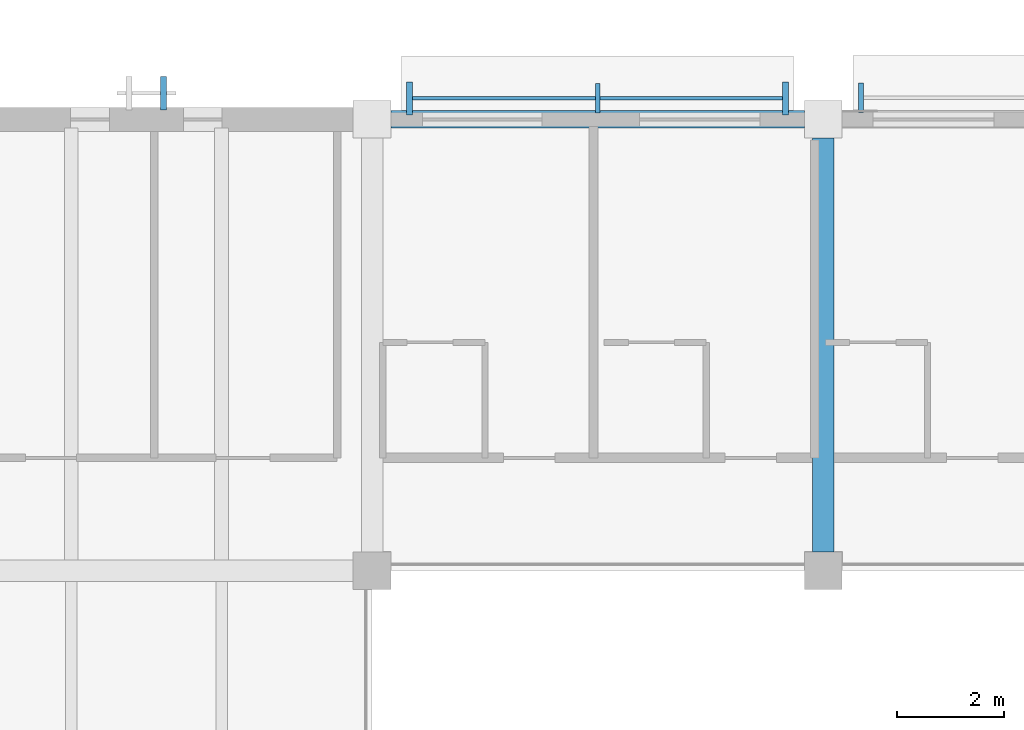
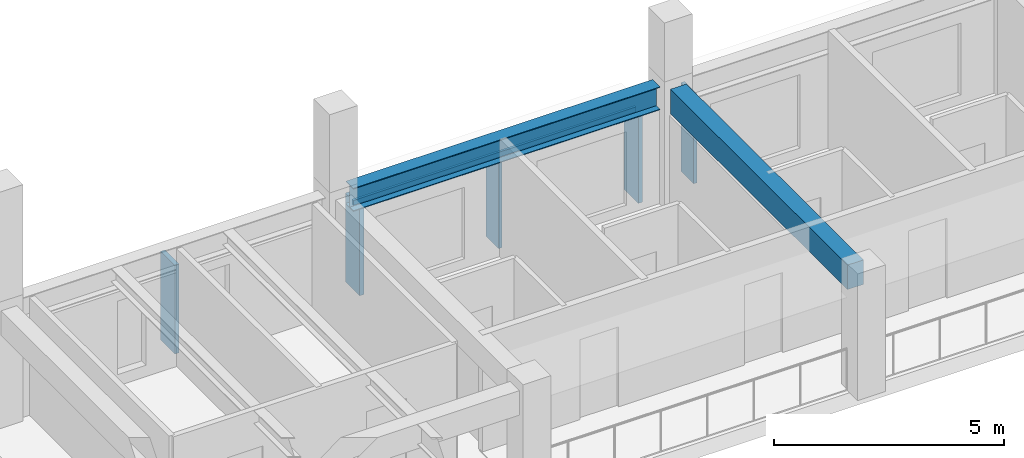
# One storey, part 25 of 123: 6 members, 2 beams, 3 elements without a shape of their own.
"""IFC4 building model written with IfcOpenShell, lengths in metres."""

from ifc_helpers import new_model, si_unit, direction, frame, origin, origin_2d, place, context, subcontext, project, spatial, rectangle, i_section, extrude, material, material_profile, profile_set, type_object, element, aggregate, save


model = new_model("IFC4")

# Units and contexts
model_context = context("Model", 3, precision=1e-05, world=origin(), true_north=direction((0.0, 1.0)))
body_context = subcontext(model_context, "Body", "Model", "MODEL_VIEW")
ifc_project = project(units=[si_unit("LENGTHUNIT", "METRE"), si_unit("AREAUNIT", "SQUARE_METRE"), si_unit("VOLUMEUNIT", "CUBIC_METRE"), si_unit("PLANEANGLEUNIT", "RADIAN"), si_unit("MASSUNIT", "GRAM", prefix="KILO")], contexts=[model_context])

# Site, building, storey
site_placement = place(None, origin())
site = spatial("IfcSite", under=ifc_project, at=site_placement, CompositionType="ELEMENT")
building_placement = place(site_placement, origin())
building = spatial("IfcBuilding", under=site, at=building_placement, Name="Cumbredor Promenade Congress Hotel", CompositionType="ELEMENT")
storey_placement = place(building_placement, frame((0.0, 0.0, 11.760009765625)))
storey = spatial("IfcBuildingStorey", under=building, at=storey_placement, Name="L03", CompositionType="ELEMENT", Elevation=11.760009765625)

# Beams
ifc_material_1 = material(Name="Concrete C40/50", Category="concrete")
ifc_material_profile_1 = material_profile(ifc_material_1, rectangle(XDim=0.39990234375, YDim=0.64990234375, at=origin_2d()), Name="RC BEAM 400x650")
ifc_profile_set_1 = profile_set([ifc_material_profile_1], Name="Concrete C40/50")
beam_type_1 = type_object("IfcBeamType", Name="BM-RC-400x650", PredefinedType="BEAM", material=ifc_profile_set_1)
beam_1_placement = place(storey_placement, frame((126.0, 109.550048828125, 2.794921875), z_axis=(0.0, 1.0, 0.0), x_axis=(-1.0, 0.0, 0.0)))
element("IfcBeam", 1, at=beam_1_placement, inside=storey, type_object=beam_type_1, Name="L04 Y-Grid Beam 192", PredefinedType="BEAM", context=body_context, shape_type="SweptSolid", body=[
    extrude(rectangle(XDim=0.39990234375, YDim=0.64990234375, at=origin_2d()), origin(), (0.0, 0.0, 1.0), 7.699951171875),
])
ifc_material_2 = material(Name="Steel ASTM A992 Grade 50", Category="steel")
ifc_material_profile_2 = material_profile(ifc_material_2, i_section(OverallWidth=0.323974609375, OverallDepth=0.611083984375, WebThickness=0.0126953125, FlangeThickness=0.01904296875, at=origin_2d()), Name="W24X104")
ifc_profile_set_2 = profile_set([ifc_material_profile_2], Name="Steel ASTM A992 Grade 50")
beam_type_2 = type_object("IfcBeamType", Name="BM-W24X104", PredefinedType="BEAM", material=ifc_profile_set_2)
beam_2_placement = place(storey_placement, frame((117.949951171875, 117.60009765625, 2.814453125), z_axis=(1.0, 0.0, 0.0), x_axis=(0.0, 1.0, 0.0)))
element("IfcBeam", 2, at=beam_2_placement, inside=storey, type_object=beam_type_2, Name="L04 X-Grid Beam 189", PredefinedType="BEAM", context=body_context, shape_type="SweptSolid", body=[
    extrude(i_section(OverallWidth=0.323974609375, OverallDepth=0.611083984375, WebThickness=0.0126953125, FlangeThickness=0.01904296875, at=origin_2d()), origin(), (0.0, 0.0, 1.0), 7.699951171875),
])

# Curtain wall, member
ifc_material_3 = material(Name="Thermally broken anodized aluminium and low-E glass", Category="aluminium")
curtain_wall_type = type_object("IfcCurtainWallType", Name="Solar Brise-Soleil Screen Assembly CW-07", PredefinedType="NOTDEFINED", material=ifc_material_3)
curtain_wall_1_placement = place(storey_placement, origin())
curtain_wall_1 = element("IfcCurtainWall", 3, at=curtain_wall_1_placement, inside=storey, type_object=curtain_wall_type, Name="L03 Hospitality Brise-Soleil Screen 047", PredefinedType="NOTDEFINED")
ifc_material_4 = material(Name="Thermally broken anodized aluminium", Category="aluminium")
ifc_material_profile_3 = material_profile(ifc_material_4, rectangle(XDim=0.06494140625, YDim=0.1298828125, at=origin_2d()), Name="ALU TRANSOM 65x130")
ifc_profile_set_3 = profile_set([ifc_material_profile_3], Name="Thermally broken anodized aluminium")
member_type_1 = type_object("IfcMemberType", Name="Curtain Wall Transom TR-01", PredefinedType="USERDEFINED", material=ifc_profile_set_3)
member_1_placement = place(storey_placement, frame((118.2509765625, 117.989990234375, 2.31396484375), z_axis=(1.0, 0.0, 0.0), x_axis=(0.0, 1.0, 0.0)))
member_1 = element("IfcMember", 4, at=member_1_placement, type_object=member_type_1, Name="L03 Brise-Soleil Screen Transom 047", ObjectType="TRANSOM", PredefinedType="USERDEFINED", context=body_context, shape_type="SweptSolid", body=[
    extrude(rectangle(XDim=0.06494140625, YDim=0.1298828125, at=origin_2d()), origin(), (0.0, 0.0, 1.0), 7.09814453125),
])

curtain_wall_2_placement = place(storey_placement, origin())
curtain_wall_2 = element("IfcCurtainWall", 5, at=curtain_wall_2_placement, inside=storey, type_object=curtain_wall_type, Name="L03 Pier Brise-Soleil Screen 0577", PredefinedType="NOTDEFINED")
ifc_material_profile_4 = material_profile(ifc_material_4, rectangle(XDim=0.110107421875, YDim=0.6201171875, at=origin_2d()), Name="ARCH FIN 110x620")
ifc_profile_set_4 = profile_set([ifc_material_profile_4], Name="Thermally broken anodized aluminium")
member_type_2 = type_object("IfcMemberType", Name="Vertical Bronze Brise-Soleil Fin BSF-02 110x620", PredefinedType="USERDEFINED", material=ifc_profile_set_4)
member_2_placement = place(storey_placement, frame((113.719970703125, 118.0849609375, 0.02001953125), z_axis=(0.0, 0.0, 1.0), x_axis=(1.0, 0.0, 0.0)))
member_2 = element("IfcMember", 6, at=member_2_placement, type_object=member_type_2, Name="L03 Pier Brise-Soleil Fin 0579", ObjectType="SOLAR FIN", PredefinedType="USERDEFINED", context=body_context, shape_type="SweptSolid", body=[
    extrude(rectangle(XDim=0.110107421875, YDim=0.6201171875, at=origin_2d()), origin(), (0.0, 0.0, 1.0), 2.35400390625),
])
aggregate(curtain_wall_2, [member_2])

# Member
member_3_placement = place(storey_placement, frame((118.301025390625, 117.989990234375, 0.02001953125), z_axis=(0.0, 0.0, 1.0), x_axis=(1.0, 0.0, 0.0)))
member_3 = element("IfcMember", 7, at=member_3_placement, type_object=member_type_2, Name="L03 Vertical Brise-Soleil Fin 0580", ObjectType="SOLAR FIN", PredefinedType="USERDEFINED", context=body_context, shape_type="SweptSolid", body=[
    extrude(rectangle(XDim=0.110107421875, YDim=0.6201171875, at=origin_2d()), origin(), (0.0, 0.0, 1.0), 2.35400390625),
])

member_4_placement = place(storey_placement, frame((125.299072265625, 117.989990234375, 0.02001953125), z_axis=(0.0, 0.0, 1.0), x_axis=(1.0, 0.0, 0.0)))
member_4 = element("IfcMember", 8, at=member_4_placement, type_object=member_type_2, Name="L03 Vertical Brise-Soleil Fin 0582", ObjectType="SOLAR FIN", PredefinedType="USERDEFINED", context=body_context, shape_type="SweptSolid", body=[
    extrude(rectangle(XDim=0.110107421875, YDim=0.6201171875, at=origin_2d()), origin(), (0.0, 0.0, 1.0), 2.35400390625),
])

ifc_material_5 = material(Name="Kiln-dried tropical hardwood", Category="wood")
ifc_material_profile_5 = material_profile(ifc_material_5, rectangle(XDim=0.090087890625, YDim=0.550048828125, at=origin_2d()), Name="ARCH FIN 90x550")
ifc_profile_set_5 = profile_set([ifc_material_profile_5], Name="Kiln-dried tropical hardwood")
member_type_3 = type_object("IfcMemberType", Name="Vertical Hardwood Brise-Soleil Fin BSF-01 90x550", PredefinedType="USERDEFINED", material=ifc_profile_set_5)
member_5_placement = place(storey_placement, frame((121.800048828125, 117.989990234375, 0.02001953125), z_axis=(0.0, 0.0, 1.0), x_axis=(1.0, 0.0, 0.0)))
member_5 = element("IfcMember", 9, at=member_5_placement, type_object=member_type_3, Name="L03 Vertical Brise-Soleil Fin 0581", ObjectType="SOLAR FIN", PredefinedType="USERDEFINED", context=body_context, shape_type="SweptSolid", body=[
    extrude(rectangle(XDim=0.090087890625, YDim=0.550048828125, at=origin_2d()), origin(), (0.0, 0.0, 1.0), 2.35400390625),
])

aggregate(curtain_wall_1, [member_1, member_3, member_5, member_4])

# Curtain wall, member
curtain_wall_3_placement = place(storey_placement, origin())
curtain_wall_3 = element("IfcCurtainWall", 10, at=curtain_wall_3_placement, inside=storey, type_object=curtain_wall_type, Name="L03 Hospitality Brise-Soleil Screen 048", PredefinedType="NOTDEFINED")
member_6_placement = place(storey_placement, frame((126.700927734375, 118.0, 0.02001953125), z_axis=(0.0, 0.0, 1.0), x_axis=(1.0, 0.0, 0.0)))
member_6 = element("IfcMember", 11, at=member_6_placement, type_object=member_type_3, Name="L03 Vertical Brise-Soleil Fin 0583", ObjectType="SOLAR FIN", PredefinedType="USERDEFINED", context=body_context, shape_type="SweptSolid", body=[
    extrude(rectangle(XDim=0.090087890625, YDim=0.550048828125, at=origin_2d()), origin(), (0.0, 0.0, 1.0), 2.35400390625),
])
aggregate(curtain_wall_3, [member_6])

save(model, "model.ifc")
